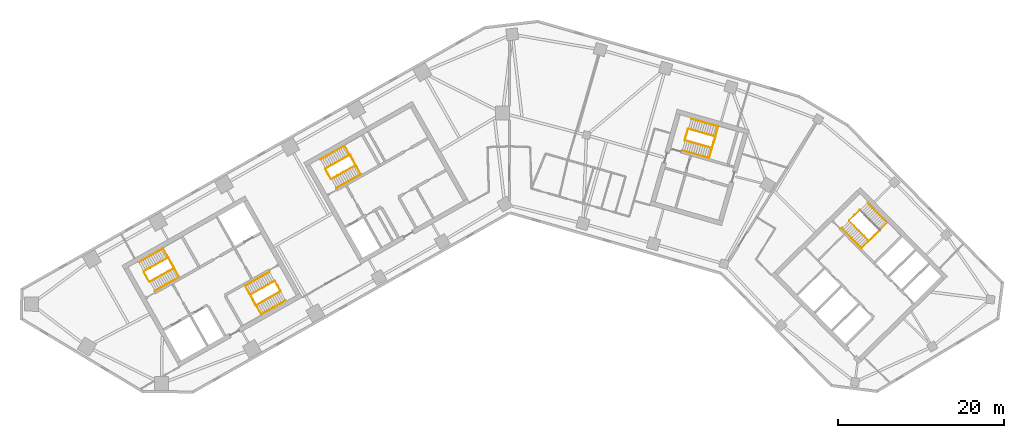
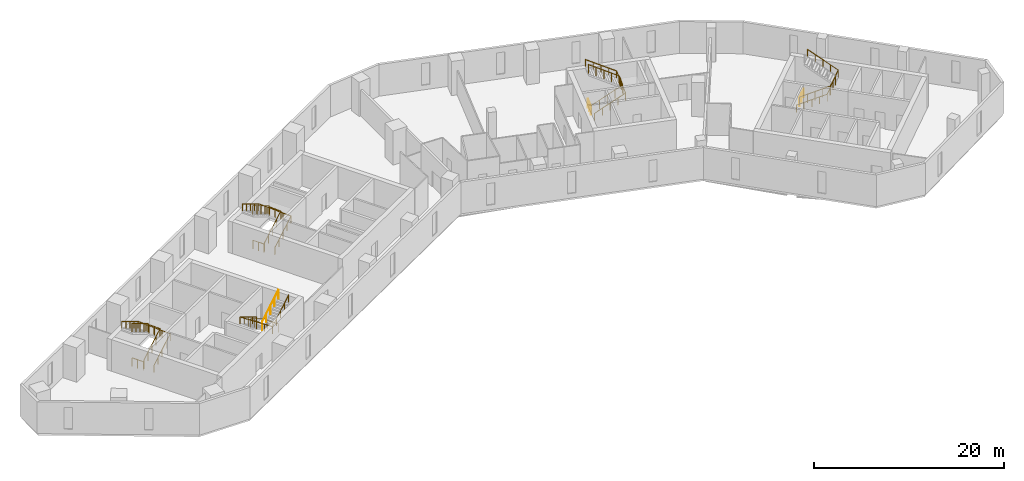
# One storey, part 9 of 10: 19 railings.
"""IFC4 building model written with IfcOpenShell, lengths in metres."""

from ifc_helpers import new_model, si_unit, direction, frame, origin, origin_2d, place, context, subcontext, project, spatial, circle, extrude, material, type_object, element, save


model = new_model("IFC4")

# Units and contexts
model_context = context("Model", 3, precision=1e-05, world=origin(), true_north=direction((0.0, 1.0)))
body_context = subcontext(model_context, "Body", "Model", "MODEL_VIEW")
ifc_project = project(units=[si_unit("LENGTHUNIT", "METRE"), si_unit("AREAUNIT", "SQUARE_METRE"), si_unit("VOLUMEUNIT", "CUBIC_METRE"), si_unit("PLANEANGLEUNIT", "RADIAN"), si_unit("MASSUNIT", "GRAM", prefix="KILO")], contexts=[model_context])

# Site, building, storey
site_placement = place(None, origin())
site = spatial("IfcSite", under=ifc_project, at=site_placement, CompositionType="ELEMENT")
building_placement = place(site_placement, origin())
building = spatial("IfcBuilding", under=site, at=building_placement, Name="Binnacle Exchange Tower", CompositionType="ELEMENT")
storey_placement = place(building_placement, frame((0.0, 0.0, 119.10009765625)))
storey = spatial("IfcBuildingStorey", under=building, at=storey_placement, Name="L24", CompositionType="ELEMENT", Elevation=119.10009765625)

# Railings
ifc_material_1 = material(Name="Steel guard rail", Category="steel")
railing_type_1 = type_object("IfcRailingType", Name="STAIR GUARD 1100", PredefinedType="GUARDRAIL", material=ifc_material_1)
railing_1_placement = place(storey_placement, frame((-43.26171875, 39.71728515625, 0.169189453125)))
element("IfcRailing", 1, at=railing_1_placement, inside=storey, type_object=railing_type_1, Name="L24 STA1 stair guard 1", PredefinedType="GUARDRAIL", context=body_context, shape_type="SweptSolid", body=[
    extrude(circle(Radius=0.02392578125, at=origin_2d()), frame((0.0, 0.0, 1.076171875), z_axis=(0.744867460262, 0.421436531824, 0.517265614832), x_axis=(-0.492433119026, 0.870350287693, 0.0)), (0.0, 0.0, 1.0), 3.926025390625),
    extrude(circle(Radius=0.02392578125, at=origin_2d()), frame((2.92431640625, 1.654541015625, 3.10693359375), z_axis=(-0.460963092712, 0.887419307406, 0.0), x_axis=(-0.887419307406, -0.460963092712, 0.0)), (0.0, 0.0, 1.0), 1.40087890625),
    extrude(circle(Radius=0.02099609375, at=origin_2d()), origin(), (0.0, 0.0, 1.0), 1.052001953125),
    extrude(circle(Radius=0.02099609375, at=origin_2d()), frame((0.73095703125, 0.41357421875, 0.5078125)), (0.0, 0.0, 1.0), 1.052001953125),
    extrude(circle(Radius=0.02099609375, at=origin_2d()), frame((1.462158203125, 0.8271484375, 1.015380859375)), (0.0, 0.0, 1.0), 1.052001953125),
    extrude(circle(Radius=0.02099609375, at=origin_2d()), frame((2.193359375, 1.240966796875, 1.52294921875)), (0.0, 0.0, 1.0), 1.052001953125),
    extrude(circle(Radius=0.02099609375, at=origin_2d()), frame((2.92431640625, 1.654541015625, 2.03076171875)), (0.0, 0.0, 1.0), 1.052001953125),
    extrude(circle(Radius=0.02099609375, at=origin_2d()), frame((2.6015625, 2.276123046875, 2.03076171875)), (0.0, 0.0, 1.0), 1.052001953125),
    extrude(circle(Radius=0.02099609375, at=origin_2d()), frame((2.278564453125, 2.897705078125, 2.03076171875)), (0.0, 0.0, 1.0), 1.052001953125),
])
railing_2_placement = place(storey_placement, frame((-41.05126953125, 42.6337890625, 2.369140625)))
element("IfcRailing", 2, at=railing_2_placement, inside=storey, type_object=railing_type_1, Name="L24 STA1 stair guard 2", PredefinedType="GUARDRAIL", context=body_context, shape_type="SweptSolid", body=[
    extrude(circle(Radius=0.02392578125, at=origin_2d()), frame((0.0, 0.0, 1.076171875), z_axis=(-0.744895141965, -0.421417011194, 0.517241655469), x_axis=(0.49240197835, -0.870367905955, 0.0)), (0.0, 0.0, 1.0), 3.926025390625),
    extrude(circle(Radius=0.02099609375, at=origin_2d()), origin(), (0.0, 0.0, 1.0), 1.052001953125),
    extrude(circle(Radius=0.02099609375, at=origin_2d()), frame((-0.731201171875, -0.41357421875, 0.5078125)), (0.0, 0.0, 1.0), 1.052001953125),
    extrude(circle(Radius=0.02099609375, at=origin_2d()), frame((-1.46240234375, -0.8271484375, 1.015380859375)), (0.0, 0.0, 1.0), 1.052001953125),
    extrude(circle(Radius=0.02099609375, at=origin_2d()), frame((-2.193359375, -1.240966796875, 1.52294921875)), (0.0, 0.0, 1.0), 1.052001953125),
    extrude(circle(Radius=0.02099609375, at=origin_2d()), frame((-2.924560546875, -1.654541015625, 2.03076171875)), (0.0, 0.0, 1.0), 1.052001953125),
])
railing_3_placement = place(storey_placement, frame((-43.329833984375, 39.736328125, 0.0)))
element("IfcRailing", 3, at=railing_3_placement, inside=storey, type_object=railing_type_1, Name="L24 STA1 stair guard 3", PredefinedType="GUARDRAIL", context=body_context, shape_type="SweptSolid", body=[
    extrude(circle(Radius=0.02392578125, at=origin_2d()), frame((0.0, 0.0, 1.076171875), z_axis=(-0.4924922531, 0.870316827734, 0.0), x_axis=(-0.870316827734, -0.4924922531, 0.0)), (0.0, 0.0, 1.0), 1.349853515625),
    extrude(circle(Radius=0.02099609375, at=origin_2d()), origin(), (0.0, 0.0, 1.0), 1.052001953125),
    extrude(circle(Radius=0.02099609375, at=origin_2d()), frame((-0.33251953125, 0.58740234375, 0.0)), (0.0, 0.0, 1.0), 1.052001953125),
    extrude(circle(Radius=0.02099609375, at=origin_2d()), frame((-0.664794921875, 1.1748046875, 0.0)), (0.0, 0.0, 1.0), 1.052001953125),
])
railing_4_placement = place(storey_placement, frame((-28.265380859375, 39.814453125, 0.169189453125)))
element("IfcRailing", 4, at=railing_4_placement, inside=storey, type_object=railing_type_1, Name="L24 STA2 stair guard 1", PredefinedType="GUARDRAIL", context=body_context, shape_type="SweptSolid", body=[
    extrude(circle(Radius=0.02392578125, at=origin_2d()), frame((0.0, 0.0, 1.076171875), z_axis=(-0.744895141965, -0.421417011194, 0.517241655469), x_axis=(0.49240197835, -0.870367905955, 0.0)), (0.0, 0.0, 1.0), 3.926025390625),
    extrude(circle(Radius=0.02392578125, at=origin_2d()), frame((-2.924560546875, -1.654541015625, 3.10693359375), z_axis=(0.461100321709, -0.887348011391, 0.0), x_axis=(0.887348011391, 0.461100321709, 0.0)), (0.0, 0.0, 1.0), 1.40087890625),
    extrude(circle(Radius=0.02099609375, at=origin_2d()), origin(), (0.0, 0.0, 1.0), 1.052001953125),
    extrude(circle(Radius=0.02099609375, at=origin_2d()), frame((-0.731201171875, -0.41357421875, 0.5078125)), (0.0, 0.0, 1.0), 1.052001953125),
    extrude(circle(Radius=0.02099609375, at=origin_2d()), frame((-1.46240234375, -0.8271484375, 1.015380859375)), (0.0, 0.0, 1.0), 1.052001953125),
    extrude(circle(Radius=0.02099609375, at=origin_2d()), frame((-2.193359375, -1.240966796875, 1.52294921875)), (0.0, 0.0, 1.0), 1.052001953125),
    extrude(circle(Radius=0.02099609375, at=origin_2d()), frame((-2.924560546875, -1.654541015625, 2.03076171875)), (0.0, 0.0, 1.0), 1.052001953125),
    extrude(circle(Radius=0.02099609375, at=origin_2d()), frame((-2.6015625, -2.276123046875, 2.03076171875)), (0.0, 0.0, 1.0), 1.052001953125),
    extrude(circle(Radius=0.02099609375, at=origin_2d()), frame((-2.278564453125, -2.897705078125, 2.03076171875)), (0.0, 0.0, 1.0), 1.052001953125),
])
railing_5_placement = place(storey_placement, frame((-30.475830078125, 36.89794921875, 2.369140625)))
element("IfcRailing", 5, at=railing_5_placement, inside=storey, type_object=railing_type_1, Name="L24 STA2 stair guard 2", PredefinedType="GUARDRAIL", context=body_context, shape_type="SweptSolid", body=[
    extrude(circle(Radius=0.02392578125, at=origin_2d()), frame((0.0, 0.0, 1.076171875), z_axis=(0.744867460262, 0.421436531824, 0.517265614832), x_axis=(-0.492433119026, 0.870350287693, 0.0)), (0.0, 0.0, 1.0), 3.926025390625),
    extrude(circle(Radius=0.02099609375, at=origin_2d()), origin(), (0.0, 0.0, 1.0), 1.052001953125),
    extrude(circle(Radius=0.02099609375, at=origin_2d()), frame((0.73095703125, 0.41357421875, 0.5078125)), (0.0, 0.0, 1.0), 1.052001953125),
    extrude(circle(Radius=0.02099609375, at=origin_2d()), frame((1.462158203125, 0.8271484375, 1.015380859375)), (0.0, 0.0, 1.0), 1.052001953125),
    extrude(circle(Radius=0.02099609375, at=origin_2d()), frame((2.193359375, 1.240966796875, 1.52294921875)), (0.0, 0.0, 1.0), 1.052001953125),
    extrude(circle(Radius=0.02099609375, at=origin_2d()), frame((2.92431640625, 1.654541015625, 2.03076171875)), (0.0, 0.0, 1.0), 1.052001953125),
])
railing_6_placement = place(storey_placement, frame((-28.197265625, 39.795654296875, 0.0)))
element("IfcRailing", 6, at=railing_6_placement, inside=storey, type_object=railing_type_1, Name="L24 STA2 stair guard 3", PredefinedType="GUARDRAIL", context=body_context, shape_type="SweptSolid", body=[
    extrude(circle(Radius=0.02392578125, at=origin_2d()), frame((0.0, 0.0, 1.076171875), z_axis=(0.49241474071, -0.870360685654, 0.0), x_axis=(0.870360685654, 0.49241474071, 0.0)), (0.0, 0.0, 1.0), 1.35009765625),
    extrude(circle(Radius=0.02099609375, at=origin_2d()), origin(), (0.0, 0.0, 1.0), 1.052001953125),
    extrude(circle(Radius=0.02099609375, at=origin_2d()), frame((0.33251953125, -0.58740234375, 0.0)), (0.0, 0.0, 1.0), 1.052001953125),
    extrude(circle(Radius=0.02099609375, at=origin_2d()), frame((0.664794921875, -1.175048828125, 0.0)), (0.0, 0.0, 1.0), 1.052001953125),
])
railing_7_placement = place(storey_placement, frame((40.822509765625, 47.046875, 0.169189453125)))
element("IfcRailing", 7, at=railing_7_placement, inside=storey, type_object=railing_type_1, Name="L24 STB1 stair guard 1", PredefinedType="GUARDRAIL", context=body_context, shape_type="SweptSolid", body=[
    extrude(circle(Radius=0.02392578125, at=origin_2d()), frame((0.0, 0.0, 1.076171875), z_axis=(0.599850224077, -0.610421915772, 0.51726665601), x_axis=(0.713256128111, 0.700903485305, 0.0)), (0.0, 0.0, 1.0), 3.926025390625),
    extrude(circle(Radius=0.02392578125, at=origin_2d()), frame((2.35498046875, -2.396484375, 3.10693359375), z_axis=(0.732527851538, 0.680737061369, 0.0), x_axis=(-0.680737061369, 0.732527851538, 0.0)), (0.0, 0.0, 1.0), 1.80078125),
    extrude(circle(Radius=0.02099609375, at=origin_2d()), origin(), (0.0, 0.0, 1.0), 1.052001953125),
    extrude(circle(Radius=0.02099609375, at=origin_2d()), frame((0.5888671875, -0.59912109375, 0.5078125)), (0.0, 0.0, 1.0), 1.052001953125),
    extrude(circle(Radius=0.02099609375, at=origin_2d()), frame((1.177490234375, -1.1982421875, 1.015380859375)), (0.0, 0.0, 1.0), 1.052001953125),
    extrude(circle(Radius=0.02099609375, at=origin_2d()), frame((1.76611328125, -1.79736328125, 1.52294921875)), (0.0, 0.0, 1.0), 1.052001953125),
    extrude(circle(Radius=0.02099609375, at=origin_2d()), frame((2.35498046875, -2.396484375, 2.03076171875)), (0.0, 0.0, 1.0), 1.052001953125),
    extrude(circle(Radius=0.02099609375, at=origin_2d()), frame((3.0146484375, -1.78369140625, 2.03076171875)), (0.0, 0.0, 1.0), 1.052001953125),
    extrude(circle(Radius=0.02099609375, at=origin_2d()), frame((3.674072265625, -1.170654296875, 2.03076171875)), (0.0, 0.0, 1.0), 1.052001953125),
])
railing_8_placement = place(storey_placement, frame((40.8232421875, 47.117431640625, 0.0)))
element("IfcRailing", 8, at=railing_8_placement, inside=storey, type_object=railing_type_1, Name="L24 STB1 stair guard 3", PredefinedType="GUARDRAIL", context=body_context, shape_type="SweptSolid", body=[
    extrude(circle(Radius=0.02392578125, at=origin_2d()), frame((0.0, 0.0, 1.076171875), z_axis=(0.713218950569, 0.700941316052, 0.0), x_axis=(-0.700941316052, 0.713218950569, 0.0)), (0.0, 0.0, 1.0), 1.75),
    extrude(circle(Radius=0.02099609375, at=origin_2d()), origin(), (0.0, 0.0, 1.0), 1.052001953125),
    extrude(circle(Radius=0.02099609375, at=origin_2d()), frame((0.6240234375, 0.61328125, 0.0)), (0.0, 0.0, 1.0), 1.052001953125),
    extrude(circle(Radius=0.02099609375, at=origin_2d()), frame((1.248046875, 1.2265625, 0.0)), (0.0, 0.0, 1.0), 1.052001953125),
])
railing_9_placement = place(storey_placement, frame((-21.423828125, 52.07275390625, 0.169189453125)))
element("IfcRailing", 9, at=railing_9_placement, inside=storey, type_object=railing_type_1, Name="L24 STC1 stair guard 1", PredefinedType="GUARDRAIL", context=body_context, shape_type="SweptSolid", body=[
    extrude(circle(Radius=0.02392578125, at=origin_2d()), frame((0.0, 0.0, 1.076171875), z_axis=(0.744895141965, 0.421417011194, 0.517241655469), x_axis=(-0.49240197835, 0.870367905955, 0.0)), (0.0, 0.0, 1.0), 3.926025390625),
    extrude(circle(Radius=0.02392578125, at=origin_2d()), frame((2.924560546875, 1.654541015625, 3.10693359375), z_axis=(-0.461171632143, 0.887310952094, 0.0), x_axis=(-0.887310952094, -0.461171632143, 0.0)), (0.0, 0.0, 1.0), 1.40087890625),
    extrude(circle(Radius=0.02099609375, at=origin_2d()), origin(), (0.0, 0.0, 1.0), 1.052001953125),
    extrude(circle(Radius=0.02099609375, at=origin_2d()), frame((0.731201171875, 0.41357421875, 0.5078125)), (0.0, 0.0, 1.0), 1.052001953125),
    extrude(circle(Radius=0.02099609375, at=origin_2d()), frame((1.46240234375, 0.8271484375, 1.015380859375)), (0.0, 0.0, 1.0), 1.052001953125),
    extrude(circle(Radius=0.02099609375, at=origin_2d()), frame((2.193359375, 1.240966796875, 1.52294921875)), (0.0, 0.0, 1.0), 1.052001953125),
    extrude(circle(Radius=0.02099609375, at=origin_2d()), frame((2.924560546875, 1.654541015625, 2.03076171875)), (0.0, 0.0, 1.0), 1.052001953125),
    extrude(circle(Radius=0.02099609375, at=origin_2d()), frame((2.6015625, 2.27587890625, 2.03076171875)), (0.0, 0.0, 1.0), 1.052001953125),
    extrude(circle(Radius=0.02099609375, at=origin_2d()), frame((2.278564453125, 2.8974609375, 2.03076171875)), (0.0, 0.0, 1.0), 1.052001953125),
])
railing_10_placement = place(storey_placement, frame((-19.21337890625, 54.9892578125, 2.369140625)))
element("IfcRailing", 10, at=railing_10_placement, inside=storey, type_object=railing_type_1, Name="L24 STC1 stair guard 2", PredefinedType="GUARDRAIL", context=body_context, shape_type="SweptSolid", body=[
    extrude(circle(Radius=0.02392578125, at=origin_2d()), frame((0.0, 0.0, 1.076171875), z_axis=(-0.744867460262, -0.421436531824, 0.517265614832), x_axis=(0.492433119026, -0.870350287693, 0.0)), (0.0, 0.0, 1.0), 3.926025390625),
    extrude(circle(Radius=0.02099609375, at=origin_2d()), origin(), (0.0, 0.0, 1.0), 1.052001953125),
    extrude(circle(Radius=0.02099609375, at=origin_2d()), frame((-0.73095703125, -0.41357421875, 0.5078125)), (0.0, 0.0, 1.0), 1.052001953125),
    extrude(circle(Radius=0.02099609375, at=origin_2d()), frame((-1.462158203125, -0.8271484375, 1.015380859375)), (0.0, 0.0, 1.0), 1.052001953125),
    extrude(circle(Radius=0.02099609375, at=origin_2d()), frame((-2.193359375, -1.240966796875, 1.52294921875)), (0.0, 0.0, 1.0), 1.052001953125),
    extrude(circle(Radius=0.02099609375, at=origin_2d()), frame((-2.92431640625, -1.654541015625, 2.03076171875)), (0.0, 0.0, 1.0), 1.052001953125),
])
railing_11_placement = place(storey_placement, frame((-21.491943359375, 52.091552734375, 0.0)))
element("IfcRailing", 11, at=railing_11_placement, inside=storey, type_object=railing_type_1, Name="L24 STC1 stair guard 3", PredefinedType="GUARDRAIL", context=body_context, shape_type="SweptSolid", body=[
    extrude(circle(Radius=0.02392578125, at=origin_2d()), frame((0.0, 0.0, 1.076171875), z_axis=(-0.49241474071, 0.870360685654, 0.0), x_axis=(-0.870360685654, -0.49241474071, 0.0)), (0.0, 0.0, 1.0), 1.35009765625),
    extrude(circle(Radius=0.02099609375, at=origin_2d()), origin(), (0.0, 0.0, 1.0), 1.052001953125),
    extrude(circle(Radius=0.02099609375, at=origin_2d()), frame((-0.33251953125, 0.58740234375, 0.0)), (0.0, 0.0, 1.0), 1.052001953125),
    extrude(circle(Radius=0.02099609375, at=origin_2d()), frame((-0.664794921875, 1.175048828125, 0.0)), (0.0, 0.0, 1.0), 1.052001953125),
])
railing_12_placement = place(storey_placement, frame((21.086669921875, 56.71044921875, 0.169189453125)))
element("IfcRailing", 12, at=railing_12_placement, inside=storey, type_object=railing_type_1, Name="L24 STD1 stair guard 1", PredefinedType="GUARDRAIL", context=body_context, shape_type="SweptSolid", body=[
    extrude(circle(Radius=0.02392578125, at=origin_2d()), frame((0.0, 0.0, 1.076171875), z_axis=(0.82266146106, -0.235934506256, 0.517264950721), x_axis=(0.27568068152, 0.961249271436, 0.0)), (0.0, 0.0, 1.0), 3.926025390625),
    extrude(circle(Radius=0.02392578125, at=origin_2d()), frame((3.229736328125, -0.92626953125, 3.10693359375), z_axis=(0.309842533299, 0.950787886208, 0.0), x_axis=(-0.950787886208, 0.309842533299, 0.0)), (0.0, 0.0, 1.0), 1.40087890625),
    extrude(circle(Radius=0.02099609375, at=origin_2d()), origin(), (0.0, 0.0, 1.0), 1.052001953125),
    extrude(circle(Radius=0.02099609375, at=origin_2d()), frame((0.807373046875, -0.2314453125, 0.5078125)), (0.0, 0.0, 1.0), 1.052001953125),
    extrude(circle(Radius=0.02099609375, at=origin_2d()), frame((1.61474609375, -0.463134765625, 1.015380859375)), (0.0, 0.0, 1.0), 1.052001953125),
    extrude(circle(Radius=0.02099609375, at=origin_2d()), frame((2.42236328125, -0.69482421875, 1.52294921875)), (0.0, 0.0, 1.0), 1.052001953125),
    extrude(circle(Radius=0.02099609375, at=origin_2d()), frame((3.229736328125, -0.92626953125, 2.03076171875)), (0.0, 0.0, 1.0), 1.052001953125),
    extrude(circle(Radius=0.02099609375, at=origin_2d()), frame((3.44677734375, -0.26025390625, 2.03076171875)), (0.0, 0.0, 1.0), 1.052001953125),
    extrude(circle(Radius=0.02099609375, at=origin_2d()), frame((3.663818359375, 0.40576171875, 2.03076171875)), (0.0, 0.0, 1.0), 1.052001953125),
])
railing_13_placement = place(storey_placement, frame((24.716064453125, 57.177978515625, 2.369140625)))
element("IfcRailing", 13, at=railing_13_placement, inside=storey, type_object=railing_type_1, Name="L24 STD1 stair guard 2", PredefinedType="GUARDRAIL", context=body_context, shape_type="SweptSolid", body=[
    extrude(circle(Radius=0.02392578125, at=origin_2d()), frame((0.0, 0.0, 1.076171875), z_axis=(-0.82266146106, 0.235934506256, 0.517264950721), x_axis=(-0.27568068152, -0.961249271436, 0.0)), (0.0, 0.0, 1.0), 3.926025390625),
    extrude(circle(Radius=0.02099609375, at=origin_2d()), origin(), (0.0, 0.0, 1.0), 1.052001953125),
    extrude(circle(Radius=0.02099609375, at=origin_2d()), frame((-0.807373046875, 0.2314453125, 0.5078125)), (0.0, 0.0, 1.0), 1.052001953125),
    extrude(circle(Radius=0.02099609375, at=origin_2d()), frame((-1.61474609375, 0.463134765625, 1.015380859375)), (0.0, 0.0, 1.0), 1.052001953125),
    extrude(circle(Radius=0.02099609375, at=origin_2d()), frame((-2.42236328125, 0.69482421875, 1.52294921875)), (0.0, 0.0, 1.0), 1.052001953125),
    extrude(circle(Radius=0.02099609375, at=origin_2d()), frame((-3.229736328125, 0.92626953125, 2.03076171875)), (0.0, 0.0, 1.0), 1.052001953125),
])
railing_14_placement = place(storey_placement, frame((21.05224609375, 56.772216796875, 0.0)))
element("IfcRailing", 14, at=railing_14_placement, inside=storey, type_object=railing_type_1, Name="L24 STD1 stair guard 3", PredefinedType="GUARDRAIL", context=body_context, shape_type="SweptSolid", body=[
    extrude(circle(Radius=0.02392578125, at=origin_2d()), frame((0.0, 0.0, 1.076171875), z_axis=(0.275795817769, 0.961216243569, 0.0), x_axis=(-0.961216243569, 0.275795817769, 0.0)), (0.0, 0.0, 1.0), 1.349853515625),
    extrude(circle(Radius=0.02099609375, at=origin_2d()), origin(), (0.0, 0.0, 1.0), 1.052001953125),
    extrude(circle(Radius=0.02099609375, at=origin_2d()), frame((0.18603515625, 0.64892578125, 0.0)), (0.0, 0.0, 1.0), 1.052001953125),
    extrude(circle(Radius=0.02099609375, at=origin_2d()), frame((0.372314453125, 1.297607421875, 0.0)), (0.0, 0.0, 1.0), 1.052001953125),
])
ifc_material_2 = material(Name="Steel handrail", Category="steel")
railing_type_2 = type_object("IfcRailingType", Name="STAIR HANDRAIL 900", PredefinedType="HANDRAIL", material=ifc_material_2)
railing_15_placement = place(storey_placement, frame((-42.646240234375, 38.62939453125, 0.169189453125)))
element("IfcRailing", 15, at=railing_15_placement, inside=storey, type_object=railing_type_2, Name="L24 STA1 stair handrail 1", PredefinedType="HANDRAIL", context=body_context, shape_type="SweptSolid", body=[
    extrude(circle(Radius=0.02392578125, at=origin_2d()), frame((0.0, 0.0, 0.8759765625), z_axis=(0.744867460262, 0.421436531824, 0.517265614832), x_axis=(-0.492433119026, 0.870350287693, 0.0)), (0.0, 0.0, 1.0), 3.926025390625),
    extrude(circle(Radius=0.02392578125, at=origin_2d()), frame((2.92431640625, 1.654541015625, 2.90673828125), z_axis=(-0.491962556146, 0.869564041126, 0.04279277663), x_axis=(-0.870361318571, -0.492413622004, 0.0)), (0.0, 0.0, 1.0), 3.95361328125),
    extrude(circle(Radius=0.02392578125, at=origin_2d()), frame((0.979248046875, 5.092529296875, 3.07568359375), z_axis=(-0.744867460262, -0.421436531824, 0.517265614832), x_axis=(0.492433119026, -0.870350287693, 0.0)), (0.0, 0.0, 1.0), 3.926025390625),
    extrude(circle(Radius=0.02099609375, at=origin_2d()), origin(), (0.0, 0.0, 1.0), 0.851806640625),
    extrude(circle(Radius=0.02099609375, at=origin_2d()), frame((0.73095703125, 0.41357421875, 0.5078125)), (0.0, 0.0, 1.0), 0.851806640625),
    extrude(circle(Radius=0.02099609375, at=origin_2d()), frame((1.462158203125, 0.8271484375, 1.015380859375)), (0.0, 0.0, 1.0), 0.851806640625),
    extrude(circle(Radius=0.02099609375, at=origin_2d()), frame((2.193359375, 1.240966796875, 1.52294921875)), (0.0, 0.0, 1.0), 0.851806640625),
    extrude(circle(Radius=0.02099609375, at=origin_2d()), frame((2.92431640625, 1.654541015625, 2.03076171875)), (0.0, 0.0, 1.0), 0.851806640625),
    extrude(circle(Radius=0.02099609375, at=origin_2d()), frame((2.43798828125, 2.51416015625, 2.072998046875)), (0.0, 0.0, 1.0), 0.851806640625),
    extrude(circle(Radius=0.02099609375, at=origin_2d()), frame((1.95166015625, 3.37353515625, 2.115234375)), (0.0, 0.0, 1.0), 0.851806640625),
    extrude(circle(Radius=0.02099609375, at=origin_2d()), frame((1.465576171875, 4.23291015625, 2.15771484375)), (0.0, 0.0, 1.0), 0.851806640625),
    extrude(circle(Radius=0.02099609375, at=origin_2d()), frame((0.979248046875, 5.092529296875, 2.199951171875)), (0.0, 0.0, 1.0), 0.851806640625),
    extrude(circle(Radius=0.02099609375, at=origin_2d()), frame((0.248046875, 4.678955078125, 2.70751953125)), (0.0, 0.0, 1.0), 0.851806640625),
    extrude(circle(Radius=0.02099609375, at=origin_2d()), frame((-0.48291015625, 4.26513671875, 3.21533203125)), (0.0, 0.0, 1.0), 0.851806640625),
    extrude(circle(Radius=0.02099609375, at=origin_2d()), frame((-1.2138671875, 3.8515625, 3.72314453125)), (0.0, 0.0, 1.0), 0.851806640625),
    extrude(circle(Radius=0.02099609375, at=origin_2d()), frame((-1.945068359375, 3.43798828125, 4.230712890625)), (0.0, 0.0, 1.0), 0.851806640625),
])
railing_16_placement = place(storey_placement, frame((-28.880859375, 40.90234375, 0.169189453125)))
element("IfcRailing", 16, at=railing_16_placement, inside=storey, type_object=railing_type_2, Name="L24 STA2 stair handrail 1", PredefinedType="HANDRAIL", context=body_context, shape_type="SweptSolid", body=[
    extrude(circle(Radius=0.02392578125, at=origin_2d()), frame((0.0, 0.0, 0.8759765625), z_axis=(-0.744895141965, -0.421417011194, 0.517241655469), x_axis=(0.49240197835, -0.870367905955, 0.0)), (0.0, 0.0, 1.0), 3.926025390625),
    extrude(circle(Radius=0.02392578125, at=origin_2d()), frame((-2.924560546875, -1.654541015625, 2.90673828125), z_axis=(0.491988973567, -0.869548981648, 0.042795074518), x_axis=(0.87034633103, 0.492440112159, 0.0)), (0.0, 0.0, 1.0), 3.953369140625),
    extrude(circle(Radius=0.02392578125, at=origin_2d()), frame((-0.9794921875, -5.09228515625, 3.07568359375), z_axis=(0.744895141965, 0.421417011194, 0.517241655469), x_axis=(-0.49240197835, 0.870367905955, 0.0)), (0.0, 0.0, 1.0), 3.926025390625),
    extrude(circle(Radius=0.02099609375, at=origin_2d()), origin(), (0.0, 0.0, 1.0), 0.851806640625),
    extrude(circle(Radius=0.02099609375, at=origin_2d()), frame((-0.731201171875, -0.41357421875, 0.5078125)), (0.0, 0.0, 1.0), 0.851806640625),
    extrude(circle(Radius=0.02099609375, at=origin_2d()), frame((-1.46240234375, -0.8271484375, 1.015380859375)), (0.0, 0.0, 1.0), 0.851806640625),
    extrude(circle(Radius=0.02099609375, at=origin_2d()), frame((-2.193359375, -1.240966796875, 1.52294921875)), (0.0, 0.0, 1.0), 0.851806640625),
    extrude(circle(Radius=0.02099609375, at=origin_2d()), frame((-2.924560546875, -1.654541015625, 2.03076171875)), (0.0, 0.0, 1.0), 0.851806640625),
    extrude(circle(Radius=0.02099609375, at=origin_2d()), frame((-2.438232421875, -2.513916015625, 2.072998046875)), (0.0, 0.0, 1.0), 0.851806640625),
    extrude(circle(Radius=0.02099609375, at=origin_2d()), frame((-1.9521484375, -3.37353515625, 2.115234375)), (0.0, 0.0, 1.0), 0.851806640625),
    extrude(circle(Radius=0.02099609375, at=origin_2d()), frame((-1.4658203125, -4.23291015625, 2.15771484375)), (0.0, 0.0, 1.0), 0.851806640625),
    extrude(circle(Radius=0.02099609375, at=origin_2d()), frame((-0.9794921875, -5.09228515625, 2.199951171875)), (0.0, 0.0, 1.0), 0.851806640625),
    extrude(circle(Radius=0.02099609375, at=origin_2d()), frame((-0.248291015625, -4.6787109375, 2.70751953125)), (0.0, 0.0, 1.0), 0.851806640625),
    extrude(circle(Radius=0.02099609375, at=origin_2d()), frame((0.48291015625, -4.26513671875, 3.21533203125)), (0.0, 0.0, 1.0), 0.851806640625),
    extrude(circle(Radius=0.02099609375, at=origin_2d()), frame((1.2138671875, -3.851318359375, 3.72314453125)), (0.0, 0.0, 1.0), 0.851806640625),
    extrude(circle(Radius=0.02099609375, at=origin_2d()), frame((1.945068359375, -3.437744140625, 4.230712890625)), (0.0, 0.0, 1.0), 0.851806640625),
])
railing_17_placement = place(storey_placement, frame((39.930908203125, 46.170654296875, 0.169189453125)))
element("IfcRailing", 17, at=railing_17_placement, inside=storey, type_object=railing_type_2, Name="L24 STB1 stair handrail 1", PredefinedType="HANDRAIL", context=body_context, shape_type="SweptSolid", body=[
    extrude(circle(Radius=0.02392578125, at=origin_2d()), frame((0.0, 0.0, 0.8759765625), z_axis=(0.599890032335, -0.610399145579, 0.51724736073), x_axis=(0.713219803244, 0.700940448441, 0.0)), (0.0, 0.0, 1.0), 3.926025390625),
    extrude(circle(Radius=0.02392578125, at=origin_2d()), frame((2.355224609375, -2.396484375, 2.90673828125), z_axis=(0.712714810107, 0.700376341566, 0.038866175905), x_axis=(-0.700905928746, 0.713253726978, 0.0)), (0.0, 0.0, 1.0), 4.35302734375),
    extrude(circle(Radius=0.02392578125, at=origin_2d()), frame((5.457763671875, 0.65234375, 3.07568359375), z_axis=(-0.599827453926, 0.610460928384, 0.517247020709), x_axis=(-0.713291821981, -0.70086716052, 0.0)), (0.0, 0.0, 1.0), 3.926025390625),
    extrude(circle(Radius=0.02099609375, at=origin_2d()), origin(), (0.0, 0.0, 1.0), 0.851806640625),
    extrude(circle(Radius=0.02099609375, at=origin_2d()), frame((0.5888671875, -0.59912109375, 0.5078125)), (0.0, 0.0, 1.0), 0.851806640625),
    extrude(circle(Radius=0.02099609375, at=origin_2d()), frame((1.177734375, -1.1982421875, 1.015380859375)), (0.0, 0.0, 1.0), 0.851806640625),
    extrude(circle(Radius=0.02099609375, at=origin_2d()), frame((1.766357421875, -1.79736328125, 1.52294921875)), (0.0, 0.0, 1.0), 0.851806640625),
    extrude(circle(Radius=0.02099609375, at=origin_2d()), frame((2.355224609375, -2.396484375, 2.03076171875)), (0.0, 0.0, 1.0), 0.851806640625),
    extrude(circle(Radius=0.02099609375, at=origin_2d()), frame((3.130859375, -1.63427734375, 2.072998046875)), (0.0, 0.0, 1.0), 0.851806640625),
    extrude(circle(Radius=0.02099609375, at=origin_2d()), frame((3.906494140625, -0.8720703125, 2.115234375)), (0.0, 0.0, 1.0), 0.851806640625),
    extrude(circle(Radius=0.02099609375, at=origin_2d()), frame((4.68212890625, -0.10986328125, 2.15771484375)), (0.0, 0.0, 1.0), 0.851806640625),
    extrude(circle(Radius=0.02099609375, at=origin_2d()), frame((5.457763671875, 0.65234375, 2.199951171875)), (0.0, 0.0, 1.0), 0.851806640625),
    extrude(circle(Radius=0.02099609375, at=origin_2d()), frame((4.869140625, 1.25146484375, 2.70751953125)), (0.0, 0.0, 1.0), 0.851806640625),
    extrude(circle(Radius=0.02099609375, at=origin_2d()), frame((4.2802734375, 1.8505859375, 3.21533203125)), (0.0, 0.0, 1.0), 0.851806640625),
    extrude(circle(Radius=0.02099609375, at=origin_2d()), frame((3.69140625, 2.449951171875, 3.72314453125)), (0.0, 0.0, 1.0), 0.851806640625),
    extrude(circle(Radius=0.02099609375, at=origin_2d()), frame((3.102783203125, 3.049072265625, 4.230712890625)), (0.0, 0.0, 1.0), 0.851806640625),
])
railing_18_placement = place(storey_placement, frame((-20.808349609375, 50.984619140625, 0.169189453125)))
element("IfcRailing", 18, at=railing_18_placement, inside=storey, type_object=railing_type_2, Name="L24 STC1 stair handrail 1", PredefinedType="HANDRAIL", context=body_context, shape_type="SweptSolid", body=[
    extrude(circle(Radius=0.02392578125, at=origin_2d()), frame((0.0, 0.0, 0.8759765625), z_axis=(0.744895141965, 0.421417011194, 0.517241655469), x_axis=(-0.49240197835, 0.870367905955, 0.0)), (0.0, 0.0, 1.0), 3.926025390625),
    extrude(circle(Radius=0.02392578125, at=origin_2d()), frame((2.924560546875, 1.654541015625, 2.90673828125), z_axis=(-0.491962556146, 0.869564041126, 0.04279277663), x_axis=(-0.870361318571, -0.492413622004, 0.0)), (0.0, 0.0, 1.0), 3.95361328125),
    extrude(circle(Radius=0.02392578125, at=origin_2d()), frame((0.9794921875, 5.092529296875, 3.07568359375), z_axis=(-0.744895141965, -0.421417011194, 0.517241655469), x_axis=(0.49240197835, -0.870367905955, 0.0)), (0.0, 0.0, 1.0), 3.926025390625),
    extrude(circle(Radius=0.02099609375, at=origin_2d()), origin(), (0.0, 0.0, 1.0), 0.851806640625),
    extrude(circle(Radius=0.02099609375, at=origin_2d()), frame((0.731201171875, 0.41357421875, 0.5078125)), (0.0, 0.0, 1.0), 0.851806640625),
    extrude(circle(Radius=0.02099609375, at=origin_2d()), frame((1.46240234375, 0.8271484375, 1.015380859375)), (0.0, 0.0, 1.0), 0.851806640625),
    extrude(circle(Radius=0.02099609375, at=origin_2d()), frame((2.193359375, 1.240966796875, 1.52294921875)), (0.0, 0.0, 1.0), 0.851806640625),
    extrude(circle(Radius=0.02099609375, at=origin_2d()), frame((2.924560546875, 1.654541015625, 2.03076171875)), (0.0, 0.0, 1.0), 0.851806640625),
    extrude(circle(Radius=0.02099609375, at=origin_2d()), frame((2.438232421875, 2.51416015625, 2.072998046875)), (0.0, 0.0, 1.0), 0.851806640625),
    extrude(circle(Radius=0.02099609375, at=origin_2d()), frame((1.9521484375, 3.37353515625, 2.115234375)), (0.0, 0.0, 1.0), 0.851806640625),
    extrude(circle(Radius=0.02099609375, at=origin_2d()), frame((1.4658203125, 4.23291015625, 2.15771484375)), (0.0, 0.0, 1.0), 0.851806640625),
    extrude(circle(Radius=0.02099609375, at=origin_2d()), frame((0.9794921875, 5.092529296875, 2.199951171875)), (0.0, 0.0, 1.0), 0.851806640625),
    extrude(circle(Radius=0.02099609375, at=origin_2d()), frame((0.248291015625, 4.678955078125, 2.70751953125)), (0.0, 0.0, 1.0), 0.851806640625),
    extrude(circle(Radius=0.02099609375, at=origin_2d()), frame((-0.48291015625, 4.26513671875, 3.21533203125)), (0.0, 0.0, 1.0), 0.851806640625),
    extrude(circle(Radius=0.02099609375, at=origin_2d()), frame((-1.2138671875, 3.8515625, 3.72314453125)), (0.0, 0.0, 1.0), 0.851806640625),
    extrude(circle(Radius=0.02099609375, at=origin_2d()), frame((-1.945068359375, 3.43798828125, 4.230712890625)), (0.0, 0.0, 1.0), 0.851806640625),
])
railing_19_placement = place(storey_placement, frame((20.7421875, 55.5087890625, 0.169189453125)))
element("IfcRailing", 19, at=railing_19_placement, inside=storey, type_object=railing_type_2, Name="L24 STD1 stair handrail 1", PredefinedType="HANDRAIL", context=body_context, shape_type="SweptSolid", body=[
    extrude(circle(Radius=0.02392578125, at=origin_2d()), frame((0.0, 0.0, 0.8759765625), z_axis=(0.82266146106, -0.235934506256, 0.517264950721), x_axis=(0.27568068152, 0.961249271436, 0.0)), (0.0, 0.0, 1.0), 3.926025390625),
    extrude(circle(Radius=0.02392578125, at=origin_2d()), frame((3.229736328125, -0.92626953125, 2.90673828125), z_axis=(0.275399082883, 0.960377115711, 0.042791830591), x_axis=(-0.961257617982, 0.275651576943, 0.0)), (0.0, 0.0, 1.0), 3.953857421875),
    extrude(circle(Radius=0.02392578125, at=origin_2d()), frame((4.318603515625, 2.870849609375, 3.07568359375), z_axis=(-0.822693627572, 0.235863713483, 0.517246076655), x_axis=(-0.275594289407, -0.961274043989, 0.0)), (0.0, 0.0, 1.0), 3.926025390625),
    extrude(circle(Radius=0.02099609375, at=origin_2d()), origin(), (0.0, 0.0, 1.0), 0.851806640625),
    extrude(circle(Radius=0.02099609375, at=origin_2d()), frame((0.807373046875, -0.2314453125, 0.5078125)), (0.0, 0.0, 1.0), 0.851806640625),
    extrude(circle(Radius=0.02099609375, at=origin_2d()), frame((1.61474609375, -0.463134765625, 1.015380859375)), (0.0, 0.0, 1.0), 0.851806640625),
    extrude(circle(Radius=0.02099609375, at=origin_2d()), frame((2.42236328125, -0.69482421875, 1.52294921875)), (0.0, 0.0, 1.0), 0.851806640625),
    extrude(circle(Radius=0.02099609375, at=origin_2d()), frame((3.229736328125, -0.92626953125, 2.03076171875)), (0.0, 0.0, 1.0), 0.851806640625),
    extrude(circle(Radius=0.02099609375, at=origin_2d()), frame((3.501953125, 0.02294921875, 2.072998046875)), (0.0, 0.0, 1.0), 0.851806640625),
    extrude(circle(Radius=0.02099609375, at=origin_2d()), frame((3.774169921875, 0.97216796875, 2.115234375)), (0.0, 0.0, 1.0), 0.851806640625),
    extrude(circle(Radius=0.02099609375, at=origin_2d()), frame((4.04638671875, 1.921630859375, 2.15771484375)), (0.0, 0.0, 1.0), 0.851806640625),
    extrude(circle(Radius=0.02099609375, at=origin_2d()), frame((4.318603515625, 2.870849609375, 2.199951171875)), (0.0, 0.0, 1.0), 0.851806640625),
    extrude(circle(Radius=0.02099609375, at=origin_2d()), frame((3.51123046875, 3.102294921875, 2.70751953125)), (0.0, 0.0, 1.0), 0.851806640625),
    extrude(circle(Radius=0.02099609375, at=origin_2d()), frame((2.70361328125, 3.333984375, 3.21533203125)), (0.0, 0.0, 1.0), 0.851806640625),
    extrude(circle(Radius=0.02099609375, at=origin_2d()), frame((1.89599609375, 3.5654296875, 3.72314453125)), (0.0, 0.0, 1.0), 0.851806640625),
    extrude(circle(Radius=0.02099609375, at=origin_2d()), frame((1.088623046875, 3.796875, 4.230712890625)), (0.0, 0.0, 1.0), 0.851806640625),
])

save(model, "model.ifc")
